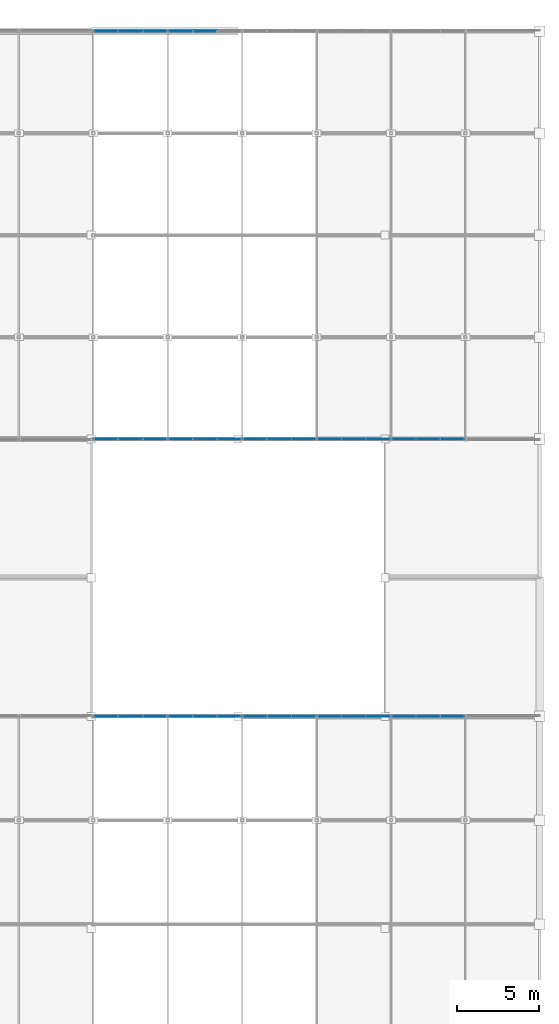
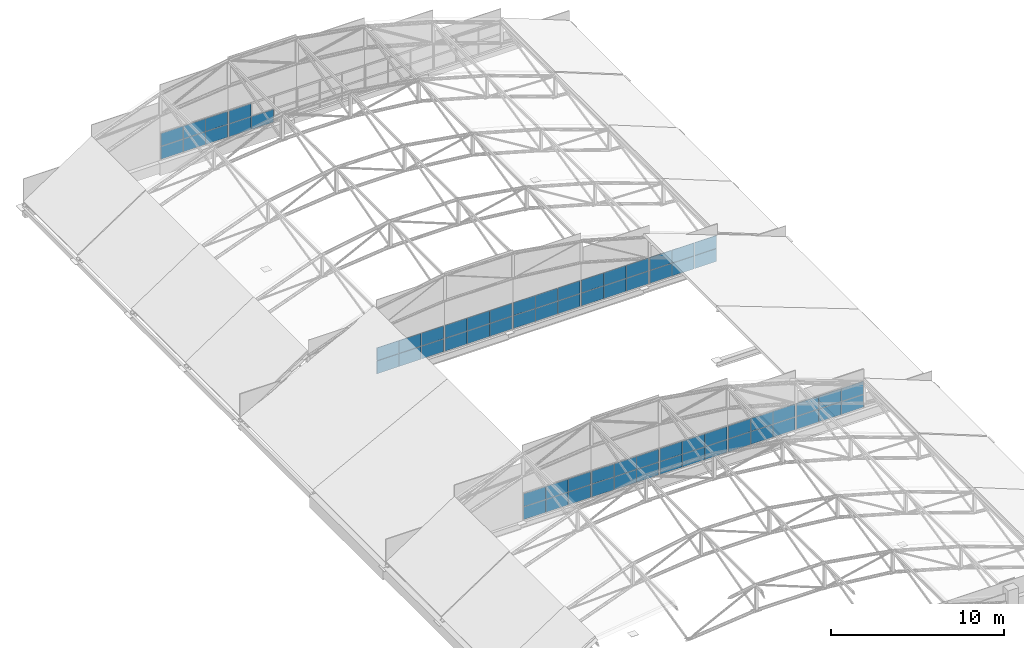
# One storey, part 80 of 101: 69 plates, 12 elements without a shape of their own.
"""IFC4 building model written with IfcOpenShell, lengths in metres."""

from ifc_helpers import new_model, si_unit, direction, frame, origin, origin_2d, place, context, subcontext, project, spatial, rectangle, extrude, material, layer, layer_set, type_object, element, aggregate, save


model = new_model("IFC4")

# Units and contexts
model_context = context("Model", 3, precision=1e-05, world=origin(), true_north=direction((0.0, 1.0)))
body_context = subcontext(model_context, "Body", "Model", "MODEL_VIEW")
ifc_project = project(units=[si_unit("LENGTHUNIT", "METRE"), si_unit("AREAUNIT", "SQUARE_METRE"), si_unit("VOLUMEUNIT", "CUBIC_METRE"), si_unit("PLANEANGLEUNIT", "RADIAN"), si_unit("MASSUNIT", "GRAM", prefix="KILO")], contexts=[model_context])

# Site, building, storey
site_placement = place(None, origin())
site = spatial("IfcSite", under=ifc_project, at=site_placement, CompositionType="ELEMENT")
building_placement = place(site_placement, origin())
building = spatial("IfcBuilding", under=site, at=building_placement, Name="Solvikara Media Centre", CompositionType="ELEMENT")
storey_placement = place(building_placement, frame((0.0, 0.0, 10.199951171875)))
storey = spatial("IfcBuildingStorey", under=building, at=storey_placement, Name="L02", CompositionType="ELEMENT", Elevation=10.199951171875)

# Curtain wall, plates
ifc_material_1 = material(Name="Anodised aluminium EN AW-6063", Category="aluminium")
curtain_wall_type = type_object("IfcCurtainWallType", Name="CW-12", PredefinedType="NOTDEFINED", material=ifc_material_1)
curtain_wall_1_placement = place(storey_placement, origin())
curtain_wall_1 = element("IfcCurtainWall", 1, at=curtain_wall_1_placement, inside=storey, type_object=curtain_wall_type, Name="CW-BSAN-CLR-02", PredefinedType="NOTDEFINED")
ifc_material_2 = material(Name="Ceramic-fritted teal low-E glass", Category="glass")
ifc_layer = layer(ifc_material_2, 0.0380859375)
ifc_layer_set = layer_set([ifc_layer], Name="Ceramic-fritted teal low-E glass")
plate_type = type_object("IfcPlateType", Name="PN-12", PredefinedType="CURTAIN_PANEL", material=ifc_layer_set)
plate_1_placement = place(storey_placement, frame((137.408935546875, 72.0, 0.03515625), z_axis=(0.0, 0.0, 1.0), x_axis=(1.0, 0.0, 0.0)))
plate_1 = element("IfcPlate", 2, at=plate_1_placement, type_object=plate_type, Name="CW-BSAN-CLR-02-P0000", PredefinedType="CURTAIN_PANEL", context=body_context, shape_type="SweptSolid", body=[
    extrude(rectangle(XDim=1.468017578125, YDim=0.0380859375, at=origin_2d()), origin(), (0.0, 0.0, 1.0), 0.89990234375),
])
plate_2_placement = place(storey_placement, frame((137.408935546875, 72.0, 0.965087890625), z_axis=(0.0, 0.0, 1.0), x_axis=(1.0, 0.0, 0.0)))
plate_2 = element("IfcPlate", 3, at=plate_2_placement, type_object=plate_type, Name="CW-BSAN-CLR-02-P0001", PredefinedType="CURTAIN_PANEL", context=body_context, shape_type="SweptSolid", body=[
    extrude(rectangle(XDim=1.468017578125, YDim=0.0380859375, at=origin_2d()), origin(), (0.0, 0.0, 1.0), 0.89990234375),
])
plate_3_placement = place(storey_placement, frame((138.906005859375, 72.0, 0.03515625), z_axis=(0.0, 0.0, 1.0), x_axis=(1.0, 0.0, 0.0)))
plate_3 = element("IfcPlate", 4, at=plate_3_placement, type_object=plate_type, Name="CW-BSAN-CLR-02-P0100", PredefinedType="CURTAIN_PANEL", context=body_context, shape_type="SweptSolid", body=[
    extrude(rectangle(XDim=1.468017578125, YDim=0.0380859375, at=origin_2d()), origin(), (0.0, 0.0, 1.0), 0.89990234375),
])
plate_4_placement = place(storey_placement, frame((138.906005859375, 72.0, 0.965087890625), z_axis=(0.0, 0.0, 1.0), x_axis=(1.0, 0.0, 0.0)))
plate_4 = element("IfcPlate", 5, at=plate_4_placement, type_object=plate_type, Name="CW-BSAN-CLR-02-P0101", PredefinedType="CURTAIN_PANEL", context=body_context, shape_type="SweptSolid", body=[
    extrude(rectangle(XDim=1.468017578125, YDim=0.0380859375, at=origin_2d()), origin(), (0.0, 0.0, 1.0), 0.89990234375),
])
plate_5_placement = place(storey_placement, frame((140.404052734375, 72.0, 0.03515625), z_axis=(0.0, 0.0, 1.0), x_axis=(1.0, 0.0, 0.0)))
plate_5 = element("IfcPlate", 6, at=plate_5_placement, type_object=plate_type, Name="CW-BSAN-CLR-02-P0200", PredefinedType="CURTAIN_PANEL", context=body_context, shape_type="SweptSolid", body=[
    extrude(rectangle(XDim=1.468017578125, YDim=0.0380859375, at=origin_2d()), origin(), (0.0, 0.0, 1.0), 0.89990234375),
])
plate_6_placement = place(storey_placement, frame((140.404052734375, 72.0, 0.965087890625), z_axis=(0.0, 0.0, 1.0), x_axis=(1.0, 0.0, 0.0)))
plate_6 = element("IfcPlate", 7, at=plate_6_placement, type_object=plate_type, Name="CW-BSAN-CLR-02-P0201", PredefinedType="CURTAIN_PANEL", context=body_context, shape_type="SweptSolid", body=[
    extrude(rectangle(XDim=1.468017578125, YDim=0.0380859375, at=origin_2d()), origin(), (0.0, 0.0, 1.0), 0.89990234375),
])
aggregate(curtain_wall_1, [plate_1, plate_2, plate_3, plate_4, plate_5, plate_6])

curtain_wall_2_placement = place(storey_placement, origin())
curtain_wall_2 = element("IfcCurtainWall", 8, at=curtain_wall_2_placement, inside=storey, type_object=curtain_wall_type, Name="CW-BSAN-CLR-03", PredefinedType="NOTDEFINED")
plate_7_placement = place(storey_placement, frame((141.971923828125, 72.0, 0.03515625), z_axis=(0.0, 0.0, 1.0), x_axis=(1.0, 0.0, 0.0)))
plate_7 = element("IfcPlate", 9, at=plate_7_placement, type_object=plate_type, Name="CW-BSAN-CLR-03-P0000", PredefinedType="CURTAIN_PANEL", context=body_context, shape_type="SweptSolid", body=[
    extrude(rectangle(XDim=1.467041015625, YDim=0.0380859375, at=origin_2d()), origin(), (0.0, 0.0, 1.0), 0.89990234375),
])
plate_8_placement = place(storey_placement, frame((141.971923828125, 72.0, 0.965087890625), z_axis=(0.0, 0.0, 1.0), x_axis=(1.0, 0.0, 0.0)))
plate_8 = element("IfcPlate", 10, at=plate_8_placement, type_object=plate_type, Name="CW-BSAN-CLR-03-P0001", PredefinedType="CURTAIN_PANEL", context=body_context, shape_type="SweptSolid", body=[
    extrude(rectangle(XDim=1.467041015625, YDim=0.0380859375, at=origin_2d()), origin(), (0.0, 0.0, 1.0), 0.89990234375),
])
plate_9_placement = place(storey_placement, frame((143.468994140625, 72.0, 0.03515625), z_axis=(0.0, 0.0, 1.0), x_axis=(1.0, 0.0, 0.0)))
plate_9 = element("IfcPlate", 11, at=plate_9_placement, type_object=plate_type, Name="CW-BSAN-CLR-03-P0100", PredefinedType="CURTAIN_PANEL", context=body_context, shape_type="SweptSolid", body=[
    extrude(rectangle(XDim=1.467041015625, YDim=0.0380859375, at=origin_2d()), origin(), (0.0, 0.0, 1.0), 0.89990234375),
])
plate_10_placement = place(storey_placement, frame((143.468994140625, 72.0, 0.965087890625), z_axis=(0.0, 0.0, 1.0), x_axis=(1.0, 0.0, 0.0)))
plate_10 = element("IfcPlate", 12, at=plate_10_placement, type_object=plate_type, Name="CW-BSAN-CLR-03-P0101", PredefinedType="CURTAIN_PANEL", context=body_context, shape_type="SweptSolid", body=[
    extrude(rectangle(XDim=1.467041015625, YDim=0.0380859375, at=origin_2d()), origin(), (0.0, 0.0, 1.0), 0.89990234375),
])
plate_11_placement = place(storey_placement, frame((144.966064453125, 72.0, 0.03515625), z_axis=(0.0, 0.0, 1.0), x_axis=(1.0, 0.0, 0.0)))
plate_11 = element("IfcPlate", 13, at=plate_11_placement, type_object=plate_type, Name="CW-BSAN-CLR-03-P0200", PredefinedType="CURTAIN_PANEL", context=body_context, shape_type="SweptSolid", body=[
    extrude(rectangle(XDim=1.467041015625, YDim=0.0380859375, at=origin_2d()), origin(), (0.0, 0.0, 1.0), 0.89990234375),
])
plate_12_placement = place(storey_placement, frame((144.966064453125, 72.0, 0.965087890625), z_axis=(0.0, 0.0, 1.0), x_axis=(1.0, 0.0, 0.0)))
plate_12 = element("IfcPlate", 14, at=plate_12_placement, type_object=plate_type, Name="CW-BSAN-CLR-03-P0201", PredefinedType="CURTAIN_PANEL", context=body_context, shape_type="SweptSolid", body=[
    extrude(rectangle(XDim=1.467041015625, YDim=0.0380859375, at=origin_2d()), origin(), (0.0, 0.0, 1.0), 0.89990234375),
])
aggregate(curtain_wall_2, [plate_7, plate_8, plate_9, plate_10, plate_11, plate_12])

curtain_wall_3_placement = place(storey_placement, origin())
curtain_wall_3 = element("IfcCurtainWall", 15, at=curtain_wall_3_placement, inside=storey, type_object=curtain_wall_type, Name="CW-BSAN-CLR-04", PredefinedType="NOTDEFINED")
plate_13_placement = place(storey_placement, frame((146.533935546875, 72.0, 0.03515625), z_axis=(0.0, 0.0, 1.0), x_axis=(1.0, 0.0, 0.0)))
plate_13 = element("IfcPlate", 16, at=plate_13_placement, type_object=plate_type, Name="CW-BSAN-CLR-04-P0000", PredefinedType="CURTAIN_PANEL", context=body_context, shape_type="SweptSolid", body=[
    extrude(rectangle(XDim=1.467041015625, YDim=0.0380859375, at=origin_2d()), origin(), (0.0, 0.0, 1.0), 0.89990234375),
])
plate_14_placement = place(storey_placement, frame((146.533935546875, 72.0, 0.965087890625), z_axis=(0.0, 0.0, 1.0), x_axis=(1.0, 0.0, 0.0)))
plate_14 = element("IfcPlate", 17, at=plate_14_placement, type_object=plate_type, Name="CW-BSAN-CLR-04-P0001", PredefinedType="CURTAIN_PANEL", context=body_context, shape_type="SweptSolid", body=[
    extrude(rectangle(XDim=1.467041015625, YDim=0.0380859375, at=origin_2d()), origin(), (0.0, 0.0, 1.0), 0.89990234375),
])
plate_15_placement = place(storey_placement, frame((148.031005859375, 72.0, 0.03515625), z_axis=(0.0, 0.0, 1.0), x_axis=(1.0, 0.0, 0.0)))
plate_15 = element("IfcPlate", 18, at=plate_15_placement, type_object=plate_type, Name="CW-BSAN-CLR-04-P0100", PredefinedType="CURTAIN_PANEL", context=body_context, shape_type="SweptSolid", body=[
    extrude(rectangle(XDim=1.467041015625, YDim=0.0380859375, at=origin_2d()), origin(), (0.0, 0.0, 1.0), 0.89990234375),
])
plate_16_placement = place(storey_placement, frame((148.031005859375, 72.0, 0.965087890625), z_axis=(0.0, 0.0, 1.0), x_axis=(1.0, 0.0, 0.0)))
plate_16 = element("IfcPlate", 19, at=plate_16_placement, type_object=plate_type, Name="CW-BSAN-CLR-04-P0101", PredefinedType="CURTAIN_PANEL", context=body_context, shape_type="SweptSolid", body=[
    extrude(rectangle(XDim=1.467041015625, YDim=0.0380859375, at=origin_2d()), origin(), (0.0, 0.0, 1.0), 0.89990234375),
])
plate_17_placement = place(storey_placement, frame((149.528076171875, 72.0, 0.03515625), z_axis=(0.0, 0.0, 1.0), x_axis=(1.0, 0.0, 0.0)))
plate_17 = element("IfcPlate", 20, at=plate_17_placement, type_object=plate_type, Name="CW-BSAN-CLR-04-P0200", PredefinedType="CURTAIN_PANEL", context=body_context, shape_type="SweptSolid", body=[
    extrude(rectangle(XDim=1.467041015625, YDim=0.0380859375, at=origin_2d()), origin(), (0.0, 0.0, 1.0), 0.89990234375),
])
plate_18_placement = place(storey_placement, frame((149.528076171875, 72.0, 0.965087890625), z_axis=(0.0, 0.0, 1.0), x_axis=(1.0, 0.0, 0.0)))
plate_18 = element("IfcPlate", 21, at=plate_18_placement, type_object=plate_type, Name="CW-BSAN-CLR-04-P0201", PredefinedType="CURTAIN_PANEL", context=body_context, shape_type="SweptSolid", body=[
    extrude(rectangle(XDim=1.467041015625, YDim=0.0380859375, at=origin_2d()), origin(), (0.0, 0.0, 1.0), 0.89990234375),
])
aggregate(curtain_wall_3, [plate_13, plate_14, plate_15, plate_16, plate_17, plate_18])

curtain_wall_4_placement = place(storey_placement, origin())
curtain_wall_4 = element("IfcCurtainWall", 22, at=curtain_wall_4_placement, inside=storey, type_object=curtain_wall_type, Name="CW-BSAN-CLR-05", PredefinedType="NOTDEFINED")
plate_19_placement = place(storey_placement, frame((151.095947265625, 72.0, 0.03515625), z_axis=(0.0, 0.0, 1.0), x_axis=(1.0, 0.0, 0.0)))
plate_19 = element("IfcPlate", 23, at=plate_19_placement, type_object=plate_type, Name="CW-BSAN-CLR-05-P0000", PredefinedType="CURTAIN_PANEL", context=body_context, shape_type="SweptSolid", body=[
    extrude(rectangle(XDim=1.468017578125, YDim=0.0380859375, at=origin_2d()), origin(), (0.0, 0.0, 1.0), 0.89990234375),
])
plate_20_placement = place(storey_placement, frame((151.095947265625, 72.0, 0.965087890625), z_axis=(0.0, 0.0, 1.0), x_axis=(1.0, 0.0, 0.0)))
plate_20 = element("IfcPlate", 24, at=plate_20_placement, type_object=plate_type, Name="CW-BSAN-CLR-05-P0001", PredefinedType="CURTAIN_PANEL", context=body_context, shape_type="SweptSolid", body=[
    extrude(rectangle(XDim=1.468017578125, YDim=0.0380859375, at=origin_2d()), origin(), (0.0, 0.0, 1.0), 0.89990234375),
])
plate_21_placement = place(storey_placement, frame((152.593017578125, 72.0, 0.03515625), z_axis=(0.0, 0.0, 1.0), x_axis=(1.0, 0.0, 0.0)))
plate_21 = element("IfcPlate", 25, at=plate_21_placement, type_object=plate_type, Name="CW-BSAN-CLR-05-P0100", PredefinedType="CURTAIN_PANEL", context=body_context, shape_type="SweptSolid", body=[
    extrude(rectangle(XDim=1.468017578125, YDim=0.0380859375, at=origin_2d()), origin(), (0.0, 0.0, 1.0), 0.89990234375),
])
plate_22_placement = place(storey_placement, frame((152.593017578125, 72.0, 0.965087890625), z_axis=(0.0, 0.0, 1.0), x_axis=(1.0, 0.0, 0.0)))
plate_22 = element("IfcPlate", 26, at=plate_22_placement, type_object=plate_type, Name="CW-BSAN-CLR-05-P0101", PredefinedType="CURTAIN_PANEL", context=body_context, shape_type="SweptSolid", body=[
    extrude(rectangle(XDim=1.468017578125, YDim=0.0380859375, at=origin_2d()), origin(), (0.0, 0.0, 1.0), 0.89990234375),
])
plate_23_placement = place(storey_placement, frame((154.091064453125, 72.0, 0.03515625), z_axis=(0.0, 0.0, 1.0), x_axis=(1.0, 0.0, 0.0)))
plate_23 = element("IfcPlate", 27, at=plate_23_placement, type_object=plate_type, Name="CW-BSAN-CLR-05-P0200", PredefinedType="CURTAIN_PANEL", context=body_context, shape_type="SweptSolid", body=[
    extrude(rectangle(XDim=1.468017578125, YDim=0.0380859375, at=origin_2d()), origin(), (0.0, 0.0, 1.0), 0.89990234375),
])
plate_24_placement = place(storey_placement, frame((154.091064453125, 72.0, 0.965087890625), z_axis=(0.0, 0.0, 1.0), x_axis=(1.0, 0.0, 0.0)))
plate_24 = element("IfcPlate", 28, at=plate_24_placement, type_object=plate_type, Name="CW-BSAN-CLR-05-P0201", PredefinedType="CURTAIN_PANEL", context=body_context, shape_type="SweptSolid", body=[
    extrude(rectangle(XDim=1.468017578125, YDim=0.0380859375, at=origin_2d()), origin(), (0.0, 0.0, 1.0), 0.89990234375),
])
aggregate(curtain_wall_4, [plate_19, plate_20, plate_21, plate_22, plate_23, plate_24])

curtain_wall_5_placement = place(storey_placement, origin())
curtain_wall_5 = element("IfcCurtainWall", 29, at=curtain_wall_5_placement, inside=storey, type_object=curtain_wall_type, Name="CW-BSAN-CLR-06", PredefinedType="NOTDEFINED")
plate_25_placement = place(storey_placement, frame((155.658935546875, 72.0, 0.03515625), z_axis=(0.0, 0.0, 1.0), x_axis=(1.0, 0.0, 0.0)))
plate_25 = element("IfcPlate", 30, at=plate_25_placement, type_object=plate_type, Name="CW-BSAN-CLR-06-P0000", PredefinedType="CURTAIN_PANEL", context=body_context, shape_type="SweptSolid", body=[
    extrude(rectangle(XDim=1.468017578125, YDim=0.0380859375, at=origin_2d()), origin(), (0.0, 0.0, 1.0), 0.89990234375),
])
plate_26_placement = place(storey_placement, frame((155.658935546875, 72.0, 0.965087890625), z_axis=(0.0, 0.0, 1.0), x_axis=(1.0, 0.0, 0.0)))
plate_26 = element("IfcPlate", 31, at=plate_26_placement, type_object=plate_type, Name="CW-BSAN-CLR-06-P0001", PredefinedType="CURTAIN_PANEL", context=body_context, shape_type="SweptSolid", body=[
    extrude(rectangle(XDim=1.468017578125, YDim=0.0380859375, at=origin_2d()), origin(), (0.0, 0.0, 1.0), 0.89990234375),
])
plate_27_placement = place(storey_placement, frame((157.156005859375, 72.0, 0.03515625), z_axis=(0.0, 0.0, 1.0), x_axis=(1.0, 0.0, 0.0)))
plate_27 = element("IfcPlate", 32, at=plate_27_placement, type_object=plate_type, Name="CW-BSAN-CLR-06-P0100", PredefinedType="CURTAIN_PANEL", context=body_context, shape_type="SweptSolid", body=[
    extrude(rectangle(XDim=1.468017578125, YDim=0.0380859375, at=origin_2d()), origin(), (0.0, 0.0, 1.0), 0.89990234375),
])
plate_28_placement = place(storey_placement, frame((157.156005859375, 72.0, 0.965087890625), z_axis=(0.0, 0.0, 1.0), x_axis=(1.0, 0.0, 0.0)))
plate_28 = element("IfcPlate", 33, at=plate_28_placement, type_object=plate_type, Name="CW-BSAN-CLR-06-P0101", PredefinedType="CURTAIN_PANEL", context=body_context, shape_type="SweptSolid", body=[
    extrude(rectangle(XDim=1.468017578125, YDim=0.0380859375, at=origin_2d()), origin(), (0.0, 0.0, 1.0), 0.89990234375),
])
plate_29_placement = place(storey_placement, frame((158.654052734375, 72.0, 0.03515625), z_axis=(0.0, 0.0, 1.0), x_axis=(1.0, 0.0, 0.0)))
plate_29 = element("IfcPlate", 34, at=plate_29_placement, type_object=plate_type, Name="CW-BSAN-CLR-06-P0200", PredefinedType="CURTAIN_PANEL", context=body_context, shape_type="SweptSolid", body=[
    extrude(rectangle(XDim=1.468017578125, YDim=0.0380859375, at=origin_2d()), origin(), (0.0, 0.0, 1.0), 0.89990234375),
])
plate_30_placement = place(storey_placement, frame((158.654052734375, 72.0, 0.965087890625), z_axis=(0.0, 0.0, 1.0), x_axis=(1.0, 0.0, 0.0)))
plate_30 = element("IfcPlate", 35, at=plate_30_placement, type_object=plate_type, Name="CW-BSAN-CLR-06-P0201", PredefinedType="CURTAIN_PANEL", context=body_context, shape_type="SweptSolid", body=[
    extrude(rectangle(XDim=1.468017578125, YDim=0.0380859375, at=origin_2d()), origin(), (0.0, 0.0, 1.0), 0.89990234375),
])
aggregate(curtain_wall_5, [plate_25, plate_26, plate_27, plate_28, plate_29, plate_30])

curtain_wall_6_placement = place(storey_placement, origin())
curtain_wall_6 = element("IfcCurtainWall", 36, at=curtain_wall_6_placement, inside=storey, type_object=curtain_wall_type, Name="CW-BSBS-CLR-02", PredefinedType="NOTDEFINED")
plate_31_placement = place(storey_placement, frame((137.408935546875, 89.0, 0.03515625), z_axis=(0.0, 0.0, 1.0), x_axis=(1.0, 0.0, 0.0)))
plate_31 = element("IfcPlate", 37, at=plate_31_placement, type_object=plate_type, Name="CW-BSBS-CLR-02-P0000", PredefinedType="CURTAIN_PANEL", context=body_context, shape_type="SweptSolid", body=[
    extrude(rectangle(XDim=1.468017578125, YDim=0.0380859375, at=origin_2d()), origin(), (0.0, 0.0, 1.0), 0.89990234375),
])
plate_32_placement = place(storey_placement, frame((137.408935546875, 89.0, 0.965087890625), z_axis=(0.0, 0.0, 1.0), x_axis=(1.0, 0.0, 0.0)))
plate_32 = element("IfcPlate", 38, at=plate_32_placement, type_object=plate_type, Name="CW-BSBS-CLR-02-P0001", PredefinedType="CURTAIN_PANEL", context=body_context, shape_type="SweptSolid", body=[
    extrude(rectangle(XDim=1.468017578125, YDim=0.0380859375, at=origin_2d()), origin(), (0.0, 0.0, 1.0), 0.89990234375),
])
plate_33_placement = place(storey_placement, frame((138.906005859375, 89.0, 0.03515625), z_axis=(0.0, 0.0, 1.0), x_axis=(1.0, 0.0, 0.0)))
plate_33 = element("IfcPlate", 39, at=plate_33_placement, type_object=plate_type, Name="CW-BSBS-CLR-02-P0100", PredefinedType="CURTAIN_PANEL", context=body_context, shape_type="SweptSolid", body=[
    extrude(rectangle(XDim=1.468017578125, YDim=0.0380859375, at=origin_2d()), origin(), (0.0, 0.0, 1.0), 0.89990234375),
])
plate_34_placement = place(storey_placement, frame((138.906005859375, 89.0, 0.965087890625), z_axis=(0.0, 0.0, 1.0), x_axis=(1.0, 0.0, 0.0)))
plate_34 = element("IfcPlate", 40, at=plate_34_placement, type_object=plate_type, Name="CW-BSBS-CLR-02-P0101", PredefinedType="CURTAIN_PANEL", context=body_context, shape_type="SweptSolid", body=[
    extrude(rectangle(XDim=1.468017578125, YDim=0.0380859375, at=origin_2d()), origin(), (0.0, 0.0, 1.0), 0.89990234375),
])
plate_35_placement = place(storey_placement, frame((140.404052734375, 89.0, 0.03515625), z_axis=(0.0, 0.0, 1.0), x_axis=(1.0, 0.0, 0.0)))
plate_35 = element("IfcPlate", 41, at=plate_35_placement, type_object=plate_type, Name="CW-BSBS-CLR-02-P0200", PredefinedType="CURTAIN_PANEL", context=body_context, shape_type="SweptSolid", body=[
    extrude(rectangle(XDim=1.468017578125, YDim=0.0380859375, at=origin_2d()), origin(), (0.0, 0.0, 1.0), 0.89990234375),
])
plate_36_placement = place(storey_placement, frame((140.404052734375, 89.0, 0.965087890625), z_axis=(0.0, 0.0, 1.0), x_axis=(1.0, 0.0, 0.0)))
plate_36 = element("IfcPlate", 42, at=plate_36_placement, type_object=plate_type, Name="CW-BSBS-CLR-02-P0201", PredefinedType="CURTAIN_PANEL", context=body_context, shape_type="SweptSolid", body=[
    extrude(rectangle(XDim=1.468017578125, YDim=0.0380859375, at=origin_2d()), origin(), (0.0, 0.0, 1.0), 0.89990234375),
])
aggregate(curtain_wall_6, [plate_31, plate_32, plate_33, plate_34, plate_35, plate_36])

curtain_wall_7_placement = place(storey_placement, origin())
curtain_wall_7 = element("IfcCurtainWall", 43, at=curtain_wall_7_placement, inside=storey, type_object=curtain_wall_type, Name="CW-BSBS-CLR-03", PredefinedType="NOTDEFINED")
plate_37_placement = place(storey_placement, frame((141.971923828125, 89.0, 0.03515625), z_axis=(0.0, 0.0, 1.0), x_axis=(1.0, 0.0, 0.0)))
plate_37 = element("IfcPlate", 44, at=plate_37_placement, type_object=plate_type, Name="CW-BSBS-CLR-03-P0000", PredefinedType="CURTAIN_PANEL", context=body_context, shape_type="SweptSolid", body=[
    extrude(rectangle(XDim=1.467041015625, YDim=0.0380859375, at=origin_2d()), origin(), (0.0, 0.0, 1.0), 0.89990234375),
])
plate_38_placement = place(storey_placement, frame((141.971923828125, 89.0, 0.965087890625), z_axis=(0.0, 0.0, 1.0), x_axis=(1.0, 0.0, 0.0)))
plate_38 = element("IfcPlate", 45, at=plate_38_placement, type_object=plate_type, Name="CW-BSBS-CLR-03-P0001", PredefinedType="CURTAIN_PANEL", context=body_context, shape_type="SweptSolid", body=[
    extrude(rectangle(XDim=1.467041015625, YDim=0.0380859375, at=origin_2d()), origin(), (0.0, 0.0, 1.0), 0.89990234375),
])
plate_39_placement = place(storey_placement, frame((143.468994140625, 89.0, 0.03515625), z_axis=(0.0, 0.0, 1.0), x_axis=(1.0, 0.0, 0.0)))
plate_39 = element("IfcPlate", 46, at=plate_39_placement, type_object=plate_type, Name="CW-BSBS-CLR-03-P0100", PredefinedType="CURTAIN_PANEL", context=body_context, shape_type="SweptSolid", body=[
    extrude(rectangle(XDim=1.467041015625, YDim=0.0380859375, at=origin_2d()), origin(), (0.0, 0.0, 1.0), 0.89990234375),
])
plate_40_placement = place(storey_placement, frame((143.468994140625, 89.0, 0.965087890625), z_axis=(0.0, 0.0, 1.0), x_axis=(1.0, 0.0, 0.0)))
plate_40 = element("IfcPlate", 47, at=plate_40_placement, type_object=plate_type, Name="CW-BSBS-CLR-03-P0101", PredefinedType="CURTAIN_PANEL", context=body_context, shape_type="SweptSolid", body=[
    extrude(rectangle(XDim=1.467041015625, YDim=0.0380859375, at=origin_2d()), origin(), (0.0, 0.0, 1.0), 0.89990234375),
])
plate_41_placement = place(storey_placement, frame((144.966064453125, 89.0, 0.03515625), z_axis=(0.0, 0.0, 1.0), x_axis=(1.0, 0.0, 0.0)))
plate_41 = element("IfcPlate", 48, at=plate_41_placement, type_object=plate_type, Name="CW-BSBS-CLR-03-P0200", PredefinedType="CURTAIN_PANEL", context=body_context, shape_type="SweptSolid", body=[
    extrude(rectangle(XDim=1.467041015625, YDim=0.0380859375, at=origin_2d()), origin(), (0.0, 0.0, 1.0), 0.89990234375),
])
plate_42_placement = place(storey_placement, frame((144.966064453125, 89.0, 0.965087890625), z_axis=(0.0, 0.0, 1.0), x_axis=(1.0, 0.0, 0.0)))
plate_42 = element("IfcPlate", 49, at=plate_42_placement, type_object=plate_type, Name="CW-BSBS-CLR-03-P0201", PredefinedType="CURTAIN_PANEL", context=body_context, shape_type="SweptSolid", body=[
    extrude(rectangle(XDim=1.467041015625, YDim=0.0380859375, at=origin_2d()), origin(), (0.0, 0.0, 1.0), 0.89990234375),
])
aggregate(curtain_wall_7, [plate_37, plate_38, plate_39, plate_40, plate_41, plate_42])

curtain_wall_8_placement = place(storey_placement, origin())
curtain_wall_8 = element("IfcCurtainWall", 50, at=curtain_wall_8_placement, inside=storey, type_object=curtain_wall_type, Name="CW-BSBS-CLR-04", PredefinedType="NOTDEFINED")
plate_43_placement = place(storey_placement, frame((146.533935546875, 89.0, 0.03515625), z_axis=(0.0, 0.0, 1.0), x_axis=(1.0, 0.0, 0.0)))
plate_43 = element("IfcPlate", 51, at=plate_43_placement, type_object=plate_type, Name="CW-BSBS-CLR-04-P0000", PredefinedType="CURTAIN_PANEL", context=body_context, shape_type="SweptSolid", body=[
    extrude(rectangle(XDim=1.467041015625, YDim=0.0380859375, at=origin_2d()), origin(), (0.0, 0.0, 1.0), 0.89990234375),
])
plate_44_placement = place(storey_placement, frame((146.533935546875, 89.0, 0.965087890625), z_axis=(0.0, 0.0, 1.0), x_axis=(1.0, 0.0, 0.0)))
plate_44 = element("IfcPlate", 52, at=plate_44_placement, type_object=plate_type, Name="CW-BSBS-CLR-04-P0001", PredefinedType="CURTAIN_PANEL", context=body_context, shape_type="SweptSolid", body=[
    extrude(rectangle(XDim=1.467041015625, YDim=0.0380859375, at=origin_2d()), origin(), (0.0, 0.0, 1.0), 0.89990234375),
])
plate_45_placement = place(storey_placement, frame((148.031005859375, 89.0, 0.03515625), z_axis=(0.0, 0.0, 1.0), x_axis=(1.0, 0.0, 0.0)))
plate_45 = element("IfcPlate", 53, at=plate_45_placement, type_object=plate_type, Name="CW-BSBS-CLR-04-P0100", PredefinedType="CURTAIN_PANEL", context=body_context, shape_type="SweptSolid", body=[
    extrude(rectangle(XDim=1.467041015625, YDim=0.0380859375, at=origin_2d()), origin(), (0.0, 0.0, 1.0), 0.89990234375),
])
plate_46_placement = place(storey_placement, frame((148.031005859375, 89.0, 0.965087890625), z_axis=(0.0, 0.0, 1.0), x_axis=(1.0, 0.0, 0.0)))
plate_46 = element("IfcPlate", 54, at=plate_46_placement, type_object=plate_type, Name="CW-BSBS-CLR-04-P0101", PredefinedType="CURTAIN_PANEL", context=body_context, shape_type="SweptSolid", body=[
    extrude(rectangle(XDim=1.467041015625, YDim=0.0380859375, at=origin_2d()), origin(), (0.0, 0.0, 1.0), 0.89990234375),
])
plate_47_placement = place(storey_placement, frame((149.528076171875, 89.0, 0.03515625), z_axis=(0.0, 0.0, 1.0), x_axis=(1.0, 0.0, 0.0)))
plate_47 = element("IfcPlate", 55, at=plate_47_placement, type_object=plate_type, Name="CW-BSBS-CLR-04-P0200", PredefinedType="CURTAIN_PANEL", context=body_context, shape_type="SweptSolid", body=[
    extrude(rectangle(XDim=1.467041015625, YDim=0.0380859375, at=origin_2d()), origin(), (0.0, 0.0, 1.0), 0.89990234375),
])
plate_48_placement = place(storey_placement, frame((149.528076171875, 89.0, 0.965087890625), z_axis=(0.0, 0.0, 1.0), x_axis=(1.0, 0.0, 0.0)))
plate_48 = element("IfcPlate", 56, at=plate_48_placement, type_object=plate_type, Name="CW-BSBS-CLR-04-P0201", PredefinedType="CURTAIN_PANEL", context=body_context, shape_type="SweptSolid", body=[
    extrude(rectangle(XDim=1.467041015625, YDim=0.0380859375, at=origin_2d()), origin(), (0.0, 0.0, 1.0), 0.89990234375),
])
aggregate(curtain_wall_8, [plate_43, plate_44, plate_45, plate_46, plate_47, plate_48])

curtain_wall_9_placement = place(storey_placement, origin())
curtain_wall_9 = element("IfcCurtainWall", 57, at=curtain_wall_9_placement, inside=storey, type_object=curtain_wall_type, Name="CW-BSBS-CLR-05", PredefinedType="NOTDEFINED")
plate_49_placement = place(storey_placement, frame((151.095947265625, 89.0, 0.03515625), z_axis=(0.0, 0.0, 1.0), x_axis=(1.0, 0.0, 0.0)))
plate_49 = element("IfcPlate", 58, at=plate_49_placement, type_object=plate_type, Name="CW-BSBS-CLR-05-P0000", PredefinedType="CURTAIN_PANEL", context=body_context, shape_type="SweptSolid", body=[
    extrude(rectangle(XDim=1.468017578125, YDim=0.0380859375, at=origin_2d()), origin(), (0.0, 0.0, 1.0), 0.89990234375),
])
plate_50_placement = place(storey_placement, frame((151.095947265625, 89.0, 0.965087890625), z_axis=(0.0, 0.0, 1.0), x_axis=(1.0, 0.0, 0.0)))
plate_50 = element("IfcPlate", 59, at=plate_50_placement, type_object=plate_type, Name="CW-BSBS-CLR-05-P0001", PredefinedType="CURTAIN_PANEL", context=body_context, shape_type="SweptSolid", body=[
    extrude(rectangle(XDim=1.468017578125, YDim=0.0380859375, at=origin_2d()), origin(), (0.0, 0.0, 1.0), 0.89990234375),
])
plate_51_placement = place(storey_placement, frame((152.593017578125, 89.0, 0.03515625), z_axis=(0.0, 0.0, 1.0), x_axis=(1.0, 0.0, 0.0)))
plate_51 = element("IfcPlate", 60, at=plate_51_placement, type_object=plate_type, Name="CW-BSBS-CLR-05-P0100", PredefinedType="CURTAIN_PANEL", context=body_context, shape_type="SweptSolid", body=[
    extrude(rectangle(XDim=1.468017578125, YDim=0.0380859375, at=origin_2d()), origin(), (0.0, 0.0, 1.0), 0.89990234375),
])
plate_52_placement = place(storey_placement, frame((152.593017578125, 89.0, 0.965087890625), z_axis=(0.0, 0.0, 1.0), x_axis=(1.0, 0.0, 0.0)))
plate_52 = element("IfcPlate", 61, at=plate_52_placement, type_object=plate_type, Name="CW-BSBS-CLR-05-P0101", PredefinedType="CURTAIN_PANEL", context=body_context, shape_type="SweptSolid", body=[
    extrude(rectangle(XDim=1.468017578125, YDim=0.0380859375, at=origin_2d()), origin(), (0.0, 0.0, 1.0), 0.89990234375),
])
plate_53_placement = place(storey_placement, frame((154.091064453125, 89.0, 0.03515625), z_axis=(0.0, 0.0, 1.0), x_axis=(1.0, 0.0, 0.0)))
plate_53 = element("IfcPlate", 62, at=plate_53_placement, type_object=plate_type, Name="CW-BSBS-CLR-05-P0200", PredefinedType="CURTAIN_PANEL", context=body_context, shape_type="SweptSolid", body=[
    extrude(rectangle(XDim=1.468017578125, YDim=0.0380859375, at=origin_2d()), origin(), (0.0, 0.0, 1.0), 0.89990234375),
])
plate_54_placement = place(storey_placement, frame((154.091064453125, 89.0, 0.965087890625), z_axis=(0.0, 0.0, 1.0), x_axis=(1.0, 0.0, 0.0)))
plate_54 = element("IfcPlate", 63, at=plate_54_placement, type_object=plate_type, Name="CW-BSBS-CLR-05-P0201", PredefinedType="CURTAIN_PANEL", context=body_context, shape_type="SweptSolid", body=[
    extrude(rectangle(XDim=1.468017578125, YDim=0.0380859375, at=origin_2d()), origin(), (0.0, 0.0, 1.0), 0.89990234375),
])
aggregate(curtain_wall_9, [plate_49, plate_50, plate_51, plate_52, plate_53, plate_54])

curtain_wall_10_placement = place(storey_placement, origin())
curtain_wall_10 = element("IfcCurtainWall", 64, at=curtain_wall_10_placement, inside=storey, type_object=curtain_wall_type, Name="CW-BSBS-CLR-06", PredefinedType="NOTDEFINED")
plate_55_placement = place(storey_placement, frame((155.658935546875, 89.0, 0.03515625), z_axis=(0.0, 0.0, 1.0), x_axis=(1.0, 0.0, 0.0)))
plate_55 = element("IfcPlate", 65, at=plate_55_placement, type_object=plate_type, Name="CW-BSBS-CLR-06-P0000", PredefinedType="CURTAIN_PANEL", context=body_context, shape_type="SweptSolid", body=[
    extrude(rectangle(XDim=1.468017578125, YDim=0.0380859375, at=origin_2d()), origin(), (0.0, 0.0, 1.0), 0.89990234375),
])
plate_56_placement = place(storey_placement, frame((155.658935546875, 89.0, 0.965087890625), z_axis=(0.0, 0.0, 1.0), x_axis=(1.0, 0.0, 0.0)))
plate_56 = element("IfcPlate", 66, at=plate_56_placement, type_object=plate_type, Name="CW-BSBS-CLR-06-P0001", PredefinedType="CURTAIN_PANEL", context=body_context, shape_type="SweptSolid", body=[
    extrude(rectangle(XDim=1.468017578125, YDim=0.0380859375, at=origin_2d()), origin(), (0.0, 0.0, 1.0), 0.89990234375),
])
plate_57_placement = place(storey_placement, frame((157.156005859375, 89.0, 0.03515625), z_axis=(0.0, 0.0, 1.0), x_axis=(1.0, 0.0, 0.0)))
plate_57 = element("IfcPlate", 67, at=plate_57_placement, type_object=plate_type, Name="CW-BSBS-CLR-06-P0100", PredefinedType="CURTAIN_PANEL", context=body_context, shape_type="SweptSolid", body=[
    extrude(rectangle(XDim=1.468017578125, YDim=0.0380859375, at=origin_2d()), origin(), (0.0, 0.0, 1.0), 0.89990234375),
])
plate_58_placement = place(storey_placement, frame((157.156005859375, 89.0, 0.965087890625), z_axis=(0.0, 0.0, 1.0), x_axis=(1.0, 0.0, 0.0)))
plate_58 = element("IfcPlate", 68, at=plate_58_placement, type_object=plate_type, Name="CW-BSBS-CLR-06-P0101", PredefinedType="CURTAIN_PANEL", context=body_context, shape_type="SweptSolid", body=[
    extrude(rectangle(XDim=1.468017578125, YDim=0.0380859375, at=origin_2d()), origin(), (0.0, 0.0, 1.0), 0.89990234375),
])
plate_59_placement = place(storey_placement, frame((158.654052734375, 89.0, 0.03515625), z_axis=(0.0, 0.0, 1.0), x_axis=(1.0, 0.0, 0.0)))
plate_59 = element("IfcPlate", 69, at=plate_59_placement, type_object=plate_type, Name="CW-BSBS-CLR-06-P0200", PredefinedType="CURTAIN_PANEL", context=body_context, shape_type="SweptSolid", body=[
    extrude(rectangle(XDim=1.468017578125, YDim=0.0380859375, at=origin_2d()), origin(), (0.0, 0.0, 1.0), 0.89990234375),
])
plate_60_placement = place(storey_placement, frame((158.654052734375, 89.0, 0.965087890625), z_axis=(0.0, 0.0, 1.0), x_axis=(1.0, 0.0, 0.0)))
plate_60 = element("IfcPlate", 70, at=plate_60_placement, type_object=plate_type, Name="CW-BSBS-CLR-06-P0201", PredefinedType="CURTAIN_PANEL", context=body_context, shape_type="SweptSolid", body=[
    extrude(rectangle(XDim=1.468017578125, YDim=0.0380859375, at=origin_2d()), origin(), (0.0, 0.0, 1.0), 0.89990234375),
])
aggregate(curtain_wall_10, [plate_55, plate_56, plate_57, plate_58, plate_59, plate_60])

curtain_wall_11_placement = place(storey_placement, origin())
curtain_wall_11 = element("IfcCurtainWall", 71, at=curtain_wall_11_placement, inside=storey, type_object=curtain_wall_type, Name="CW-BSBN-CLR-02", PredefinedType="NOTDEFINED")
plate_61_placement = place(storey_placement, frame((137.408935546875, 114.0, 0.03515625), z_axis=(0.0, 0.0, 1.0), x_axis=(1.0, 0.0, 0.0)))
plate_61 = element("IfcPlate", 72, at=plate_61_placement, type_object=plate_type, Name="CW-BSBN-CLR-02-P0000", PredefinedType="CURTAIN_PANEL", context=body_context, shape_type="SweptSolid", body=[
    extrude(rectangle(XDim=1.468017578125, YDim=0.0380859375, at=origin_2d()), origin(), (0.0, 0.0, 1.0), 0.89990234375),
])
plate_62_placement = place(storey_placement, frame((137.408935546875, 114.0, 0.965087890625), z_axis=(0.0, 0.0, 1.0), x_axis=(1.0, 0.0, 0.0)))
plate_62 = element("IfcPlate", 73, at=plate_62_placement, type_object=plate_type, Name="CW-BSBN-CLR-02-P0001", PredefinedType="CURTAIN_PANEL", context=body_context, shape_type="SweptSolid", body=[
    extrude(rectangle(XDim=1.468017578125, YDim=0.0380859375, at=origin_2d()), origin(), (0.0, 0.0, 1.0), 0.89990234375),
])
plate_63_placement = place(storey_placement, frame((138.906005859375, 114.0, 0.03515625), z_axis=(0.0, 0.0, 1.0), x_axis=(1.0, 0.0, 0.0)))
plate_63 = element("IfcPlate", 74, at=plate_63_placement, type_object=plate_type, Name="CW-BSBN-CLR-02-P0100", PredefinedType="CURTAIN_PANEL", context=body_context, shape_type="SweptSolid", body=[
    extrude(rectangle(XDim=1.468017578125, YDim=0.0380859375, at=origin_2d()), origin(), (0.0, 0.0, 1.0), 0.89990234375),
])
plate_64_placement = place(storey_placement, frame((138.906005859375, 114.0, 0.965087890625), z_axis=(0.0, 0.0, 1.0), x_axis=(1.0, 0.0, 0.0)))
plate_64 = element("IfcPlate", 75, at=plate_64_placement, type_object=plate_type, Name="CW-BSBN-CLR-02-P0101", PredefinedType="CURTAIN_PANEL", context=body_context, shape_type="SweptSolid", body=[
    extrude(rectangle(XDim=1.468017578125, YDim=0.0380859375, at=origin_2d()), origin(), (0.0, 0.0, 1.0), 0.89990234375),
])
plate_65_placement = place(storey_placement, frame((140.404052734375, 114.0, 0.03515625), z_axis=(0.0, 0.0, 1.0), x_axis=(1.0, 0.0, 0.0)))
plate_65 = element("IfcPlate", 76, at=plate_65_placement, type_object=plate_type, Name="CW-BSBN-CLR-02-P0200", PredefinedType="CURTAIN_PANEL", context=body_context, shape_type="SweptSolid", body=[
    extrude(rectangle(XDim=1.468017578125, YDim=0.0380859375, at=origin_2d()), origin(), (0.0, 0.0, 1.0), 0.89990234375),
])
plate_66_placement = place(storey_placement, frame((140.404052734375, 114.0, 0.965087890625), z_axis=(0.0, 0.0, 1.0), x_axis=(1.0, 0.0, 0.0)))
plate_66 = element("IfcPlate", 77, at=plate_66_placement, type_object=plate_type, Name="CW-BSBN-CLR-02-P0201", PredefinedType="CURTAIN_PANEL", context=body_context, shape_type="SweptSolid", body=[
    extrude(rectangle(XDim=1.468017578125, YDim=0.0380859375, at=origin_2d()), origin(), (0.0, 0.0, 1.0), 0.89990234375),
])
aggregate(curtain_wall_11, [plate_61, plate_62, plate_63, plate_64, plate_65, plate_66])

curtain_wall_12_placement = place(storey_placement, origin())
curtain_wall_12 = element("IfcCurtainWall", 78, at=curtain_wall_12_placement, inside=storey, type_object=curtain_wall_type, Name="CW-BSBN-CLR-03", PredefinedType="NOTDEFINED")
plate_67_placement = place(storey_placement, frame((141.971923828125, 114.0, 0.03515625), z_axis=(0.0, 0.0, 1.0), x_axis=(1.0, 0.0, 0.0)))
plate_67 = element("IfcPlate", 79, at=plate_67_placement, type_object=plate_type, Name="CW-BSBN-CLR-03-P0000", PredefinedType="CURTAIN_PANEL", context=body_context, shape_type="SweptSolid", body=[
    extrude(rectangle(XDim=1.467041015625, YDim=0.0380859375, at=origin_2d()), origin(), (0.0, 0.0, 1.0), 0.89990234375),
])
plate_68_placement = place(storey_placement, frame((141.971923828125, 114.0, 0.965087890625), z_axis=(0.0, 0.0, 1.0), x_axis=(1.0, 0.0, 0.0)))
plate_68 = element("IfcPlate", 80, at=plate_68_placement, type_object=plate_type, Name="CW-BSBN-CLR-03-P0001", PredefinedType="CURTAIN_PANEL", context=body_context, shape_type="SweptSolid", body=[
    extrude(rectangle(XDim=1.467041015625, YDim=0.0380859375, at=origin_2d()), origin(), (0.0, 0.0, 1.0), 0.89990234375),
])
plate_69_placement = place(storey_placement, frame((143.468994140625, 114.0, 0.03515625), z_axis=(0.0, 0.0, 1.0), x_axis=(1.0, 0.0, 0.0)))
plate_69 = element("IfcPlate", 81, at=plate_69_placement, type_object=plate_type, Name="CW-BSBN-CLR-03-P0100", PredefinedType="CURTAIN_PANEL", context=body_context, shape_type="SweptSolid", body=[
    extrude(rectangle(XDim=1.467041015625, YDim=0.0380859375, at=origin_2d()), origin(), (0.0, 0.0, 1.0), 0.89990234375),
])
aggregate(curtain_wall_12, [plate_67, plate_68, plate_69])

save(model, "model.ifc")
